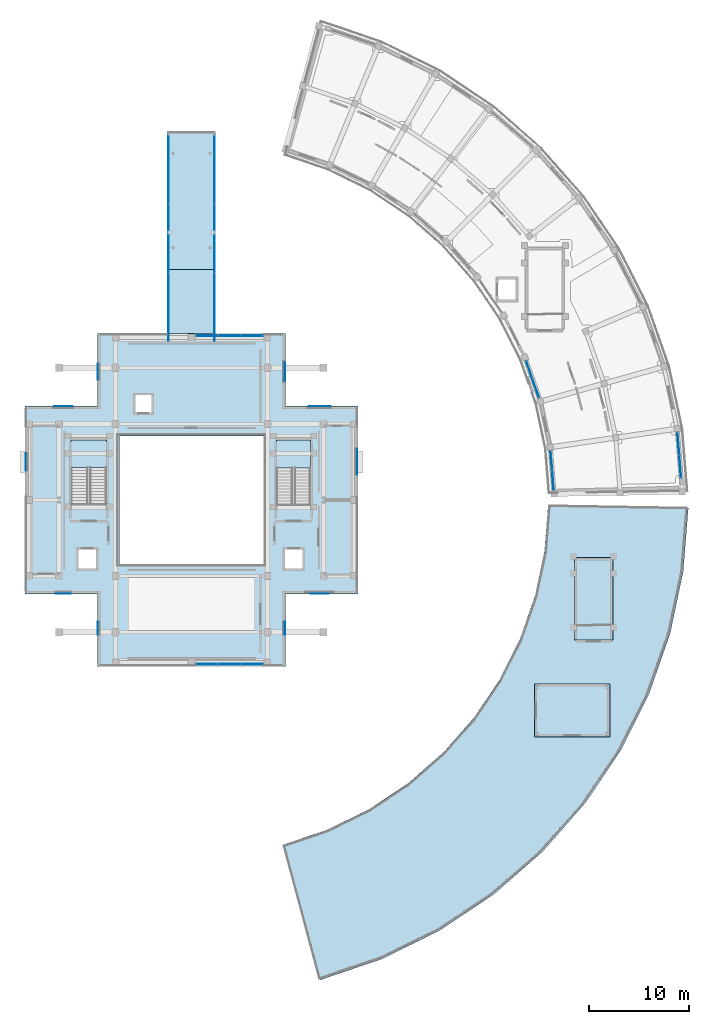
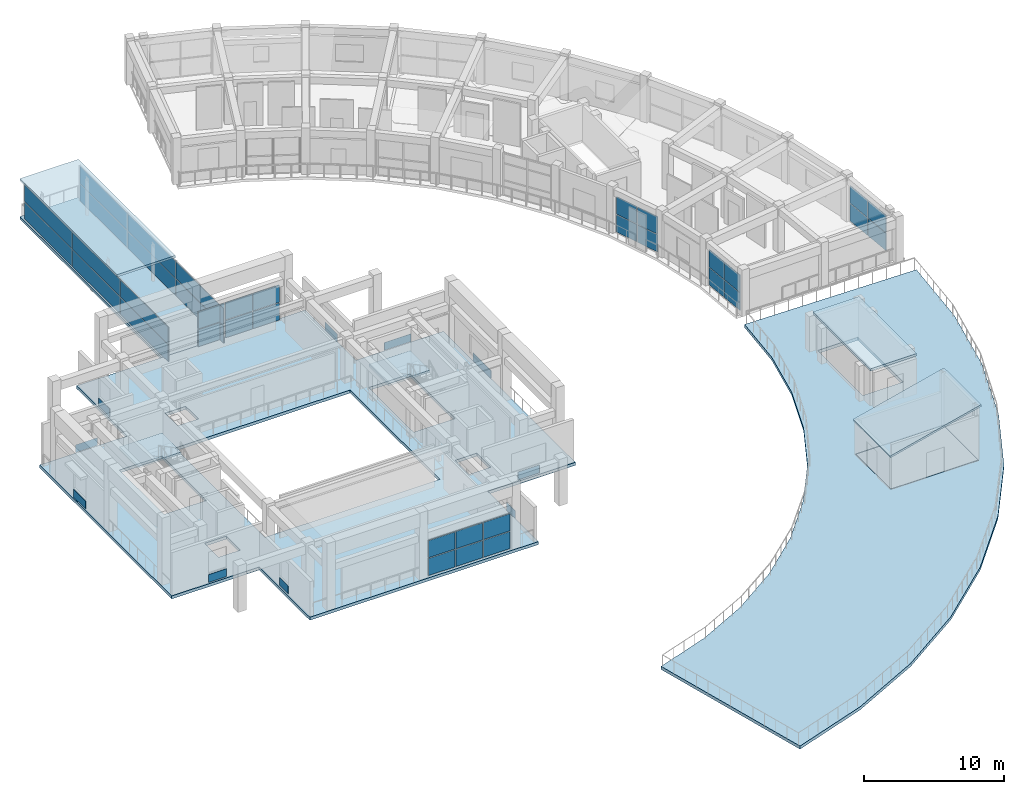
# One storey, part 16 of 29: 46 plates, 9 slabs, 9 elements without a shape of their own.
"""IFC4 building model written with IfcOpenShell, lengths in metres."""

from ifc_helpers import new_model, si_unit, direction, frame, origin, origin_2d, place, context, subcontext, project, spatial, polyline, rectangle, outline, extrude, material, layer, layer_set, type_object, element, aggregate, save


model = new_model("IFC4")

# Units and contexts
model_context = context("Model", 3, precision=1e-05, world=origin(), true_north=direction((0.0, 1.0)))
body_context = subcontext(model_context, "Body", "Model", "MODEL_VIEW")
ifc_project = project(units=[si_unit("LENGTHUNIT", "METRE"), si_unit("AREAUNIT", "SQUARE_METRE"), si_unit("VOLUMEUNIT", "CUBIC_METRE"), si_unit("PLANEANGLEUNIT", "RADIAN"), si_unit("MASSUNIT", "GRAM", prefix="KILO")], contexts=[model_context])

# Site, building, storey
site_placement = place(None, origin())
site = spatial("IfcSite", under=ifc_project, at=site_placement, CompositionType="ELEMENT")
building_placement = place(site_placement, origin())
building = spatial("IfcBuilding", under=site, at=building_placement, Name="Saryqyr Civic Hall", CompositionType="ELEMENT")
storey_placement = place(building_placement, frame((0.0, 0.0, 25.35009765625)))
storey = spatial("IfcBuildingStorey", under=building, at=storey_placement, Name="L06", CompositionType="ELEMENT", Elevation=25.35009765625)

# Curtain wall, plates
ifc_material_1 = material(Name="Anodised aluminium and triple low-E glass", Category="aluminium")
curtain_wall_type_1 = type_object("IfcCurtainWallType", Name="ENV-CW-STD-30", PredefinedType="NOTDEFINED", material=ifc_material_1)
curtain_wall_1_placement = place(storey_placement, origin())
curtain_wall_1 = element("IfcCurtainWall", 1, at=curtain_wall_1_placement, inside=storey, type_object=curtain_wall_type_1, Name="Curtain wall V6-CWO-L06-00", PredefinedType="NOTDEFINED")
ifc_material_2 = material(Name="Triple low-E insulated glazing", Category="glass")
ifc_layer_1 = layer(ifc_material_2, 0.053955078125, Name="Triple low-E insulated glazing")
ifc_layer_set_1 = layer_set([ifc_layer_1], Name="Triple low-E insulated glazing")
plate_type_1 = type_object("IfcPlateType", Name="ENV-CW-PNL-38", PredefinedType="CURTAIN_PANEL", material=ifc_layer_set_1)
plate_1_placement = place(storey_placement, frame((105.6025390625, 89.61474609375, 0.06005859375), z_axis=(0.0, 0.0, 1.0), x_axis=(0.081093274213, -0.996706516923, 0.0)))
plate_1 = element("IfcPlate", 2, at=plate_1_placement, type_object=plate_type_1, Name="CW-30 panel 1.1", PredefinedType="CURTAIN_PANEL", context=body_context, shape_type="SweptSolid", body=[
    extrude(rectangle(XDim=2.218505859375, YDim=0.053955078125, at=origin_2d()), origin(), (0.0, 0.0, 1.0), 1.5029296875),
])
plate_2_placement = place(storey_placement, frame((105.6025390625, 89.61474609375, 1.623046875), z_axis=(0.0, 0.0, 1.0), x_axis=(0.081093274213, -0.996706516923, 0.0)))
plate_2 = element("IfcPlate", 3, at=plate_2_placement, type_object=plate_type_1, Name="CW-30 panel 1.2", PredefinedType="CURTAIN_PANEL", context=body_context, shape_type="SweptSolid", body=[
    extrude(rectangle(XDim=2.218505859375, YDim=0.053955078125, at=origin_2d()), origin(), (0.0, 0.0, 1.0), 1.501953125),
])
plate_3_placement = place(storey_placement, frame((105.787353515625, 87.34375, 0.06005859375), z_axis=(0.0, 0.0, 1.0), x_axis=(0.081093274213, -0.996706516923, 0.0)))
plate_3 = element("IfcPlate", 4, at=plate_3_placement, type_object=plate_type_1, Name="CW-30 panel 2.1", PredefinedType="CURTAIN_PANEL", context=body_context, shape_type="SweptSolid", body=[
    extrude(rectangle(XDim=2.218505859375, YDim=0.053955078125, at=origin_2d()), origin(), (0.0, 0.0, 1.0), 1.5029296875),
])
plate_4_placement = place(storey_placement, frame((105.787353515625, 87.34375, 1.623046875), z_axis=(0.0, 0.0, 1.0), x_axis=(0.081093274213, -0.996706516923, 0.0)))
plate_4 = element("IfcPlate", 5, at=plate_4_placement, type_object=plate_type_1, Name="CW-30 panel 2.2", PredefinedType="CURTAIN_PANEL", context=body_context, shape_type="SweptSolid", body=[
    extrude(rectangle(XDim=2.218505859375, YDim=0.053955078125, at=origin_2d()), origin(), (0.0, 0.0, 1.0), 1.501953125),
])
aggregate(curtain_wall_1, [plate_1, plate_2, plate_3, plate_4])

curtain_wall_type_2 = type_object("IfcCurtainWallType", Name="ENV-CW-STD-21", PredefinedType="NOTDEFINED", material=ifc_material_1)
curtain_wall_2_placement = place(storey_placement, origin())
curtain_wall_2 = element("IfcCurtainWall", 6, at=curtain_wall_2_placement, inside=storey, type_object=curtain_wall_type_2, Name="Curtain wall V6-CWI-L06-00", PredefinedType="NOTDEFINED")
plate_5_placement = place(storey_placement, frame((93.085205078125, 85.9501953125, 0.06005859375), z_axis=(0.0, 0.0, 1.0), x_axis=(-0.081090889978, 0.996706710905, 0.0)))
plate_5 = element("IfcPlate", 7, at=plate_5_placement, type_object=plate_type_1, Name="CW-21 panel 1.1", PredefinedType="CURTAIN_PANEL", context=body_context, shape_type="SweptSolid", body=[
    extrude(rectangle(XDim=1.906494140625, YDim=0.053955078125, at=origin_2d()), origin(), (0.0, 0.0, 1.0), 1.5029296875),
])
plate_6_placement = place(storey_placement, frame((93.085205078125, 85.9501953125, 1.623046875), z_axis=(0.0, 0.0, 1.0), x_axis=(-0.081090889978, 0.996706710905, 0.0)))
plate_6 = element("IfcPlate", 8, at=plate_6_placement, type_object=plate_type_1, Name="CW-21 panel 1.2", PredefinedType="CURTAIN_PANEL", context=body_context, shape_type="SweptSolid", body=[
    extrude(rectangle(XDim=1.906494140625, YDim=0.053955078125, at=origin_2d()), origin(), (0.0, 0.0, 1.0), 1.501953125),
])
plate_7_placement = place(storey_placement, frame((92.92578125, 87.91015625, 0.06005859375), z_axis=(0.0, 0.0, 1.0), x_axis=(-0.081090889978, 0.996706710905, 0.0)))
plate_7 = element("IfcPlate", 9, at=plate_7_placement, type_object=plate_type_1, Name="CW-21 panel 2.1", PredefinedType="CURTAIN_PANEL", context=body_context, shape_type="SweptSolid", body=[
    extrude(rectangle(XDim=1.906494140625, YDim=0.053955078125, at=origin_2d()), origin(), (0.0, 0.0, 1.0), 1.5029296875),
])
plate_8_placement = place(storey_placement, frame((92.92578125, 87.91015625, 1.623046875), z_axis=(0.0, 0.0, 1.0), x_axis=(-0.081090889978, 0.996706710905, 0.0)))
plate_8 = element("IfcPlate", 10, at=plate_8_placement, type_object=plate_type_1, Name="CW-21 panel 2.2", PredefinedType="CURTAIN_PANEL", context=body_context, shape_type="SweptSolid", body=[
    extrude(rectangle(XDim=1.906494140625, YDim=0.053955078125, at=origin_2d()), origin(), (0.0, 0.0, 1.0), 1.501953125),
])
aggregate(curtain_wall_2, [plate_5, plate_6, plate_7, plate_8])

curtain_wall_3_placement = place(storey_placement, origin())
curtain_wall_3 = element("IfcCurtainWall", 11, at=curtain_wall_3_placement, inside=storey, type_object=curtain_wall_type_2, Name="Curtain wall V6-CWI-L06-02", PredefinedType="NOTDEFINED")
plate_9_placement = place(storey_placement, frame((91.384765625, 95.118408203125, 0.06005859375), z_axis=(0.0, 0.0, 1.0), x_axis=(-0.333171977335, 0.94286607401, 0.0)))
plate_9 = element("IfcPlate", 12, at=plate_9_placement, type_object=plate_type_1, Name="CW-21 panel 1.1", PredefinedType="CURTAIN_PANEL", context=body_context, shape_type="SweptSolid", body=[
    extrude(rectangle(XDim=1.886962890625, YDim=0.053955078125, at=origin_2d()), origin(), (0.0, 0.0, 1.0), 1.5029296875),
])
plate_10_placement = place(storey_placement, frame((91.384765625, 95.118408203125, 1.623046875), z_axis=(0.0, 0.0, 1.0), x_axis=(-0.333171977335, 0.94286607401, 0.0)))
plate_10 = element("IfcPlate", 13, at=plate_10_placement, type_object=plate_type_1, Name="CW-21 panel 1.2", PredefinedType="CURTAIN_PANEL", context=body_context, shape_type="SweptSolid", body=[
    extrude(rectangle(XDim=1.886962890625, YDim=0.053955078125, at=origin_2d()), origin(), (0.0, 0.0, 1.0), 1.501953125),
])
plate_11_placement = place(storey_placement, frame((90.73583984375, 96.9541015625, 0.06005859375), z_axis=(0.0, 0.0, 1.0), x_axis=(-0.333171977335, 0.94286607401, 0.0)))
plate_11 = element("IfcPlate", 14, at=plate_11_placement, type_object=plate_type_1, Name="CW-21 panel 2.1", PredefinedType="CURTAIN_PANEL", context=body_context, shape_type="SweptSolid", body=[
    extrude(rectangle(XDim=1.886962890625, YDim=0.053955078125, at=origin_2d()), origin(), (0.0, 0.0, 1.0), 1.5029296875),
])
plate_12_placement = place(storey_placement, frame((90.73583984375, 96.9541015625, 1.623046875), z_axis=(0.0, 0.0, 1.0), x_axis=(-0.333171977335, 0.94286607401, 0.0)))
plate_12 = element("IfcPlate", 15, at=plate_12_placement, type_object=plate_type_1, Name="CW-21 panel 2.2", PredefinedType="CURTAIN_PANEL", context=body_context, shape_type="SweptSolid", body=[
    extrude(rectangle(XDim=1.886962890625, YDim=0.053955078125, at=origin_2d()), origin(), (0.0, 0.0, 1.0), 1.501953125),
])
aggregate(curtain_wall_3, [plate_9, plate_10, plate_11, plate_12])

curtain_wall_type_3 = type_object("IfcCurtainWallType", Name="ENV-CW-STD-88", PredefinedType="NOTDEFINED", material=ifc_material_1)
curtain_wall_4_placement = place(storey_placement, origin())
curtain_wall_4 = element("IfcCurtainWall", 16, at=curtain_wall_4_placement, inside=storey, type_object=curtain_wall_type_3, Name="Curtain wall BR-CN-CW1-L06", PredefinedType="NOTDEFINED")
plate_13_placement = place(storey_placement, frame((54.719970703125, 103.248291015625, 0.059814453125), z_axis=(0.0, 0.0, 1.0), x_axis=(0.0, 1.0, 0.0)))
plate_13 = element("IfcPlate", 17, at=plate_13_placement, type_object=plate_type_1, Name="CW-88 panel 1.1", PredefinedType="CURTAIN_PANEL", context=body_context, shape_type="SweptSolid", body=[
    extrude(rectangle(XDim=6.776611328125, YDim=0.053955078125, at=origin_2d()), origin(), (0.0, 0.0, 1.0), 1.4599609375),
])
plate_14_placement = place(storey_placement, frame((54.719970703125, 103.248291015625, 1.579833984375), z_axis=(0.0, 0.0, 1.0), x_axis=(0.0, 1.0, 0.0)))
plate_14 = element("IfcPlate", 18, at=plate_14_placement, type_object=plate_type_1, Name="CW-88 panel 1.2", PredefinedType="CURTAIN_PANEL", context=body_context, shape_type="SweptSolid", body=[
    extrude(rectangle(XDim=6.776611328125, YDim=0.053955078125, at=origin_2d()), origin(), (0.0, 0.0, 1.0), 1.4599609375),
])
plate_15_placement = place(storey_placement, frame((54.719970703125, 110.10009765625, 0.059814453125), z_axis=(0.0, 0.0, 1.0), x_axis=(0.0, 1.0, 0.0)))
plate_15 = element("IfcPlate", 19, at=plate_15_placement, type_object=plate_type_1, Name="CW-88 panel 2.1", PredefinedType="CURTAIN_PANEL", context=body_context, shape_type="SweptSolid", body=[
    extrude(rectangle(XDim=6.806640625, YDim=0.053955078125, at=origin_2d()), origin(), (0.0, 0.0, 1.0), 1.4599609375),
])
plate_16_placement = place(storey_placement, frame((54.719970703125, 110.10009765625, 1.579833984375), z_axis=(0.0, 0.0, 1.0), x_axis=(0.0, 1.0, 0.0)))
plate_16 = element("IfcPlate", 20, at=plate_16_placement, type_object=plate_type_1, Name="CW-88 panel 2.2", PredefinedType="CURTAIN_PANEL", context=body_context, shape_type="SweptSolid", body=[
    extrude(rectangle(XDim=6.806640625, YDim=0.053955078125, at=origin_2d()), origin(), (0.0, 0.0, 1.0), 1.4599609375),
])
plate_17_placement = place(storey_placement, frame((54.719970703125, 116.95166015625, 0.059814453125), z_axis=(0.0, 0.0, 1.0), x_axis=(0.0, 1.0, 0.0)))
plate_17 = element("IfcPlate", 21, at=plate_17_placement, type_object=plate_type_1, Name="CW-88 panel 3.1", PredefinedType="CURTAIN_PANEL", context=body_context, shape_type="SweptSolid", body=[
    extrude(rectangle(XDim=6.776611328125, YDim=0.053955078125, at=origin_2d()), origin(), (0.0, 0.0, 1.0), 1.4599609375),
])
plate_18_placement = place(storey_placement, frame((54.719970703125, 116.95166015625, 1.579833984375), z_axis=(0.0, 0.0, 1.0), x_axis=(0.0, 1.0, 0.0)))
plate_18 = element("IfcPlate", 22, at=plate_18_placement, type_object=plate_type_1, Name="CW-88 panel 3.2", PredefinedType="CURTAIN_PANEL", context=body_context, shape_type="SweptSolid", body=[
    extrude(rectangle(XDim=6.776611328125, YDim=0.053955078125, at=origin_2d()), origin(), (0.0, 0.0, 1.0), 1.4599609375),
])
aggregate(curtain_wall_4, [plate_13, plate_14, plate_15, plate_16, plate_17, plate_18])

curtain_wall_5_placement = place(storey_placement, origin())
curtain_wall_5 = element("IfcCurtainWall", 23, at=curtain_wall_5_placement, inside=storey, type_object=curtain_wall_type_3, Name="Curtain wall BR-CN-CW2-L06", PredefinedType="NOTDEFINED")
plate_19_placement = place(storey_placement, frame((59.280029296875, 116.95166015625, 0.059814453125), z_axis=(0.0, 0.0, 1.0), x_axis=(0.0, -1.0, 0.0)))
plate_19 = element("IfcPlate", 24, at=plate_19_placement, type_object=plate_type_1, Name="CW-88 panel 1.1", PredefinedType="CURTAIN_PANEL", context=body_context, shape_type="SweptSolid", body=[
    extrude(rectangle(XDim=6.776611328125, YDim=0.053955078125, at=origin_2d()), origin(), (0.0, 0.0, 1.0), 1.4599609375),
])
plate_20_placement = place(storey_placement, frame((59.280029296875, 116.95166015625, 1.579833984375), z_axis=(0.0, 0.0, 1.0), x_axis=(0.0, -1.0, 0.0)))
plate_20 = element("IfcPlate", 25, at=plate_20_placement, type_object=plate_type_1, Name="CW-88 panel 1.2", PredefinedType="CURTAIN_PANEL", context=body_context, shape_type="SweptSolid", body=[
    extrude(rectangle(XDim=6.776611328125, YDim=0.053955078125, at=origin_2d()), origin(), (0.0, 0.0, 1.0), 1.4599609375),
])
plate_21_placement = place(storey_placement, frame((59.280029296875, 110.10009765625, 0.059814453125), z_axis=(0.0, 0.0, 1.0), x_axis=(0.0, -1.0, 0.0)))
plate_21 = element("IfcPlate", 26, at=plate_21_placement, type_object=plate_type_1, Name="CW-88 panel 2.1", PredefinedType="CURTAIN_PANEL", context=body_context, shape_type="SweptSolid", body=[
    extrude(rectangle(XDim=6.806640625, YDim=0.053955078125, at=origin_2d()), origin(), (0.0, 0.0, 1.0), 1.4599609375),
])
plate_22_placement = place(storey_placement, frame((59.280029296875, 110.10009765625, 1.579833984375), z_axis=(0.0, 0.0, 1.0), x_axis=(0.0, -1.0, 0.0)))
plate_22 = element("IfcPlate", 27, at=plate_22_placement, type_object=plate_type_1, Name="CW-88 panel 2.2", PredefinedType="CURTAIN_PANEL", context=body_context, shape_type="SweptSolid", body=[
    extrude(rectangle(XDim=6.806640625, YDim=0.053955078125, at=origin_2d()), origin(), (0.0, 0.0, 1.0), 1.4599609375),
])
plate_23_placement = place(storey_placement, frame((59.280029296875, 103.248291015625, 0.059814453125), z_axis=(0.0, 0.0, 1.0), x_axis=(0.0, -1.0, 0.0)))
plate_23 = element("IfcPlate", 28, at=plate_23_placement, type_object=plate_type_1, Name="CW-88 panel 3.1", PredefinedType="CURTAIN_PANEL", context=body_context, shape_type="SweptSolid", body=[
    extrude(rectangle(XDim=6.776611328125, YDim=0.053955078125, at=origin_2d()), origin(), (0.0, 0.0, 1.0), 1.4599609375),
])
plate_24_placement = place(storey_placement, frame((59.280029296875, 103.248291015625, 1.579833984375), z_axis=(0.0, 0.0, 1.0), x_axis=(0.0, -1.0, 0.0)))
plate_24 = element("IfcPlate", 29, at=plate_24_placement, type_object=plate_type_1, Name="CW-88 panel 3.2", PredefinedType="CURTAIN_PANEL", context=body_context, shape_type="SweptSolid", body=[
    extrude(rectangle(XDim=6.776611328125, YDim=0.053955078125, at=origin_2d()), origin(), (0.0, 0.0, 1.0), 1.4599609375),
])
aggregate(curtain_wall_5, [plate_19, plate_20, plate_21, plate_22, plate_23, plate_24])

curtain_wall_type_4 = type_object("IfcCurtainWallType", Name="ENV-CW-HVY-49", PredefinedType="NOTDEFINED", material=ifc_material_1)
curtain_wall_6_placement = place(storey_placement, origin())
curtain_wall_6 = element("IfcCurtainWall", 30, at=curtain_wall_6_placement, inside=storey, type_object=curtain_wall_type_4, Name="Curtain wall V1-CW-L06-05", PredefinedType="NOTDEFINED")
ifc_material_3 = material(Name="Acoustic laminated low-E glazing", Category="glass")
ifc_layer_2 = layer(ifc_material_3, 0.072021484375, Name="Acoustic laminated low-E glazing")
ifc_layer_set_2 = layer_set([ifc_layer_2], Name="Acoustic laminated low-E glazing")
plate_type_2 = type_object("IfcPlateType", Name="ENV-CW-PNL-52", PredefinedType="CURTAIN_PANEL", material=ifc_layer_set_2)
plate_25_placement = place(storey_placement, frame((58.544189453125, 100.39990234375, 0.070068359375), z_axis=(0.0, 0.0, 1.0), x_axis=(1.0, 0.0, 0.0)))
plate_25 = element("IfcPlate", 31, at=plate_25_placement, type_object=plate_type_2, Name="CW-49 panel 1.1", PredefinedType="CURTAIN_PANEL", context=body_context, shape_type="SweptSolid", body=[
    extrude(rectangle(XDim=2.168212890625, YDim=0.072021484375, at=origin_2d()), origin(), (0.0, 0.0, 1.0), 1.48291015625),
])
plate_26_placement = place(storey_placement, frame((58.544189453125, 100.39990234375, 1.623046875), z_axis=(0.0, 0.0, 1.0), x_axis=(1.0, 0.0, 0.0)))
plate_26 = element("IfcPlate", 32, at=plate_26_placement, type_object=plate_type_2, Name="CW-49 panel 1.2", PredefinedType="CURTAIN_PANEL", context=body_context, shape_type="SweptSolid", body=[
    extrude(rectangle(XDim=2.168212890625, YDim=0.072021484375, at=origin_2d()), origin(), (0.0, 0.0, 1.0), 1.48193359375),
])
plate_27_placement = place(storey_placement, frame((60.800048828125, 100.39990234375, 0.070068359375), z_axis=(0.0, 0.0, 1.0), x_axis=(1.0, 0.0, 0.0)))
plate_27 = element("IfcPlate", 33, at=plate_27_placement, type_object=plate_type_2, Name="CW-49 panel 2.1", PredefinedType="CURTAIN_PANEL", context=body_context, shape_type="SweptSolid", body=[
    extrude(rectangle(XDim=2.203369140625, YDim=0.072021484375, at=origin_2d()), origin(), (0.0, 0.0, 1.0), 1.48291015625),
])
plate_28_placement = place(storey_placement, frame((60.800048828125, 100.39990234375, 1.623046875), z_axis=(0.0, 0.0, 1.0), x_axis=(1.0, 0.0, 0.0)))
plate_28 = element("IfcPlate", 34, at=plate_28_placement, type_object=plate_type_2, Name="CW-49 panel 2.2", PredefinedType="CURTAIN_PANEL", context=body_context, shape_type="SweptSolid", body=[
    extrude(rectangle(XDim=2.203369140625, YDim=0.072021484375, at=origin_2d()), origin(), (0.0, 0.0, 1.0), 1.48193359375),
])
plate_29_placement = place(storey_placement, frame((63.055908203125, 100.39990234375, 0.070068359375), z_axis=(0.0, 0.0, 1.0), x_axis=(1.0, 0.0, 0.0)))
plate_29 = element("IfcPlate", 35, at=plate_29_placement, type_object=plate_type_2, Name="CW-49 panel 3.1", PredefinedType="CURTAIN_PANEL", context=body_context, shape_type="SweptSolid", body=[
    extrude(rectangle(XDim=2.168212890625, YDim=0.072021484375, at=origin_2d()), origin(), (0.0, 0.0, 1.0), 1.48291015625),
])
plate_30_placement = place(storey_placement, frame((63.055908203125, 100.39990234375, 1.623046875), z_axis=(0.0, 0.0, 1.0), x_axis=(1.0, 0.0, 0.0)))
plate_30 = element("IfcPlate", 36, at=plate_30_placement, type_object=plate_type_2, Name="CW-49 panel 3.2", PredefinedType="CURTAIN_PANEL", context=body_context, shape_type="SweptSolid", body=[
    extrude(rectangle(XDim=2.168212890625, YDim=0.072021484375, at=origin_2d()), origin(), (0.0, 0.0, 1.0), 1.48193359375),
])
aggregate(curtain_wall_6, [plate_25, plate_26, plate_27, plate_28, plate_29, plate_30])

curtain_wall_7_placement = place(storey_placement, origin())
curtain_wall_7 = element("IfcCurtainWall", 37, at=curtain_wall_7_placement, inside=storey, type_object=curtain_wall_type_4, Name="Curtain wall V1-CW-L06-11", PredefinedType="NOTDEFINED")
plate_31_placement = place(storey_placement, frame((63.055908203125, 67.60009765625, 0.070068359375), z_axis=(0.0, 0.0, 1.0), x_axis=(-1.0, 0.0, 0.0)))
plate_31 = element("IfcPlate", 38, at=plate_31_placement, type_object=plate_type_2, Name="CW-49 panel 1.1", PredefinedType="CURTAIN_PANEL", context=body_context, shape_type="SweptSolid", body=[
    extrude(rectangle(XDim=2.168212890625, YDim=0.072021484375, at=origin_2d()), origin(), (0.0, 0.0, 1.0), 1.48291015625),
])
plate_32_placement = place(storey_placement, frame((63.055908203125, 67.60009765625, 1.623046875), z_axis=(0.0, 0.0, 1.0), x_axis=(-1.0, 0.0, 0.0)))
plate_32 = element("IfcPlate", 39, at=plate_32_placement, type_object=plate_type_2, Name="CW-49 panel 1.2", PredefinedType="CURTAIN_PANEL", context=body_context, shape_type="SweptSolid", body=[
    extrude(rectangle(XDim=2.168212890625, YDim=0.072021484375, at=origin_2d()), origin(), (0.0, 0.0, 1.0), 1.48193359375),
])
plate_33_placement = place(storey_placement, frame((60.800048828125, 67.60009765625, 0.070068359375), z_axis=(0.0, 0.0, 1.0), x_axis=(-1.0, 0.0, 0.0)))
plate_33 = element("IfcPlate", 40, at=plate_33_placement, type_object=plate_type_2, Name="CW-49 panel 2.1", PredefinedType="CURTAIN_PANEL", context=body_context, shape_type="SweptSolid", body=[
    extrude(rectangle(XDim=2.203369140625, YDim=0.072021484375, at=origin_2d()), origin(), (0.0, 0.0, 1.0), 1.48291015625),
])
plate_34_placement = place(storey_placement, frame((60.800048828125, 67.60009765625, 1.623046875), z_axis=(0.0, 0.0, 1.0), x_axis=(-1.0, 0.0, 0.0)))
plate_34 = element("IfcPlate", 41, at=plate_34_placement, type_object=plate_type_2, Name="CW-49 panel 2.2", PredefinedType="CURTAIN_PANEL", context=body_context, shape_type="SweptSolid", body=[
    extrude(rectangle(XDim=2.203369140625, YDim=0.072021484375, at=origin_2d()), origin(), (0.0, 0.0, 1.0), 1.48193359375),
])
plate_35_placement = place(storey_placement, frame((58.544189453125, 67.60009765625, 0.070068359375), z_axis=(0.0, 0.0, 1.0), x_axis=(-1.0, 0.0, 0.0)))
plate_35 = element("IfcPlate", 42, at=plate_35_placement, type_object=plate_type_2, Name="CW-49 panel 3.1", PredefinedType="CURTAIN_PANEL", context=body_context, shape_type="SweptSolid", body=[
    extrude(rectangle(XDim=2.168212890625, YDim=0.072021484375, at=origin_2d()), origin(), (0.0, 0.0, 1.0), 1.48291015625),
])
plate_36_placement = place(storey_placement, frame((58.544189453125, 67.60009765625, 1.623046875), z_axis=(0.0, 0.0, 1.0), x_axis=(-1.0, 0.0, 0.0)))
plate_36 = element("IfcPlate", 43, at=plate_36_placement, type_object=plate_type_2, Name="CW-49 panel 3.2", PredefinedType="CURTAIN_PANEL", context=body_context, shape_type="SweptSolid", body=[
    extrude(rectangle(XDim=2.168212890625, YDim=0.072021484375, at=origin_2d()), origin(), (0.0, 0.0, 1.0), 1.48193359375),
])
aggregate(curtain_wall_7, [plate_31, plate_32, plate_33, plate_34, plate_35, plate_36])

# Plates
ifc_material_4 = material(Name="Warm brushed brass-anodised aluminium", Category="aluminium")
ifc_layer_3 = layer(ifc_material_4, 0.008056640625, Name="Warm brushed brass-anodised aluminium")
ifc_layer_set_3 = layer_set([ifc_layer_3], Name="Warm brushed brass-anodised aluminium")
plate_type_3 = type_object("IfcPlateType", Name="ENV-PLT-BRASS-1", PredefinedType="SHEET", material=ifc_layer_set_3)
plate_37_placement = place(storey_placement, frame((47.6630859375, 71.199951171875, 0.080078125), z_axis=(0.0, 0.0, 1.0), x_axis=(0.0, 1.0, 0.0)))
element("IfcPlate", 44, at=plate_37_placement, inside=storey, type_object=plate_type_3, Name="Warm brass spandrel cladding sheet L06-00", PredefinedType="SHEET", context=body_context, shape_type="SweptSolid", body=[
    extrude(rectangle(XDim=1.25, YDim=0.008056640625, at=origin_2d()), origin(), (0.0, 0.0, 1.0), 0.679931640625),
])
for number, where, z_axis, x_axis, name in (
    (45, (44.199951171875, 93.3369140625, 0.080078125), (0.0, 0.0, 1.0), (1.0, 0.0, 0.0), "Warm brass spandrel cladding sheet L06-03"),
    (46, (66.3369140625, 96.800048828125, 0.080078125), (0.0, 0.0, 1.0), (0.0, -1.0, 0.0), "Warm brass spandrel cladding sheet L06-06"),
    (47, (69.800048828125, 74.6630859375, 0.080078125), (0.0, 0.0, 1.0), (-1.0, 0.0, 0.0), "Warm brass spandrel cladding sheet L06-09"),
):
    element("IfcPlate", number, at=place(storey_placement, frame(where, z_axis=z_axis, x_axis=x_axis)), inside=storey, type_object=plate_type_3, Name=name, PredefinedType="SHEET", context=body_context, shape_type="SweptSolid", body=[
        extrude(rectangle(XDim=1.800048828125, YDim=0.008056640625, at=origin_2d()), origin(), (0.0, 0.0, 1.0), 0.679931640625),
    ])
ifc_layer_4 = layer(ifc_material_4, 0.02001953125, Name="Warm brushed brass-anodised aluminium")
ifc_layer_set_4 = layer_set([ifc_layer_4], Name="Warm brushed brass-anodised aluminium")
plate_type_4 = type_object("IfcPlateType", Name="ENV-PLT-BRASS-2", PredefinedType="SHEET", material=ifc_layer_set_4)
plate_38_placement = place(storey_placement, frame((44.199951171875, 74.656982421875, 0.080078125), z_axis=(0.0, 0.0, 1.0), x_axis=(-1.0, 0.0, 0.0)))
element("IfcPlate", 48, at=plate_38_placement, inside=storey, type_object=plate_type_4, Name="Warm brass spandrel cladding sheet L06-01", PredefinedType="SHEET", context=body_context, shape_type="SweptSolid", body=[
    extrude(rectangle(XDim=1.5, YDim=0.02001953125, at=origin_2d()), origin(), (0.0, 0.0, 1.0), 0.679931640625),
])
plate_39_placement = place(storey_placement, frame((47.656982421875, 96.800048828125, 0.080078125), z_axis=(0.0, 0.0, 1.0), x_axis=(0.0, 1.0, 0.0)))
element("IfcPlate", 49, at=plate_39_placement, inside=storey, type_object=plate_type_4, Name="Warm brass spandrel cladding sheet L06-04", PredefinedType="SHEET", context=body_context, shape_type="SweptSolid", body=[
    extrude(rectangle(XDim=1.60009765625, YDim=0.02001953125, at=origin_2d()), origin(), (0.0, 0.0, 1.0), 0.679931640625),
])
plate_40_placement = place(storey_placement, frame((69.800048828125, 93.343017578125, 0.080078125), z_axis=(0.0, 0.0, 1.0), x_axis=(1.0, 0.0, 0.0)))
element("IfcPlate", 50, at=plate_40_placement, inside=storey, type_object=plate_type_4, Name="Warm brass spandrel cladding sheet L06-07", PredefinedType="SHEET", context=body_context, shape_type="SweptSolid", body=[
    extrude(rectangle(XDim=2.199951171875, YDim=0.02001953125, at=origin_2d()), origin(), (0.0, 0.0, 1.0), 0.679931640625),
])
plate_41_placement = place(storey_placement, frame((66.343017578125, 71.199951171875, 0.080078125), z_axis=(0.0, 0.0, 1.0), x_axis=(0.0, -1.0, 0.0)))
element("IfcPlate", 51, at=plate_41_placement, inside=storey, type_object=plate_type_4, Name="Warm brass spandrel cladding sheet L06-10", PredefinedType="SHEET", context=body_context, shape_type="SweptSolid", body=[
    extrude(rectangle(XDim=1.25, YDim=0.02001953125, at=origin_2d()), origin(), (0.0, 0.0, 1.0), 0.679931640625),
])
ifc_layer_5 = layer(ifc_material_4, 0.031982421875, Name="Warm brushed brass-anodised aluminium")
ifc_layer_set_5 = layer_set([ifc_layer_5], Name="Warm brushed brass-anodised aluminium")
plate_type_5 = type_object("IfcPlateType", Name="ENV-PLT-BRASS-3", PredefinedType="SHEET", material=ifc_layer_set_5)
plate_42_placement = place(storey_placement, frame((40.450927734375, 87.800048828125, 0.080078125), z_axis=(0.0, 0.0, 1.0), x_axis=(0.0, 1.0, 0.0)))
element("IfcPlate", 52, at=plate_42_placement, inside=storey, type_object=plate_type_5, Name="Warm brass spandrel cladding sheet L06-02", PredefinedType="SHEET", context=body_context, shape_type="SweptSolid", body=[
    extrude(rectangle(XDim=1.75, YDim=0.031982421875, at=origin_2d()), origin(), (0.0, 0.0, 1.0), 0.679931640625),
])
plate_43_placement = place(storey_placement, frame((73.549072265625, 87.800048828125, 0.080078125), z_axis=(0.0, 0.0, 1.0), x_axis=(0.0, -1.0, 0.0)))
element("IfcPlate", 53, at=plate_43_placement, inside=storey, type_object=plate_type_5, Name="Warm brass spandrel cladding sheet L06-08", PredefinedType="SHEET", context=body_context, shape_type="SweptSolid", body=[
    extrude(rectangle(XDim=2.60009765625, YDim=0.031982421875, at=origin_2d()), origin(), (0.0, 0.0, 1.0), 0.679931640625),
])

# Slabs
ifc_material_5 = material(Name="Concrete C35/45", Category="concrete")
ifc_layer_6 = layer(ifc_material_5, 0.22998046875, Name="Concrete C35/45")
ifc_layer_set_6 = layer_set([ifc_layer_6], Name="Concrete C35/45")
slab_type_1 = type_object("IfcSlabType", Name="STR-SLB-FLR-230", PredefinedType="FLOOR", material=ifc_layer_set_6)
slab_1_placement = place(storey_placement, frame((0.0, 0.0, -0.22998046875)))
element("IfcSlab", 54, at=slab_1_placement, inside=storey, type_object=slab_type_1, Name="Slab SLB-BR-CN-L06", PredefinedType="FLOOR", context=body_context, shape_type="SweptSolid", body=[
    extrude(outline(polyline([(54.60009765625, 120.800048828125), (59.39990234375, 120.800048828125), (59.39990234375, 100.60009765625), (54.60009765625, 100.60009765625), (54.60009765625, 120.800048828125)])), origin(), (0.0, 0.0, 1.0), 0.22998046875),
])
ifc_layer_7 = layer(ifc_material_5, 0.260009765625, Name="Concrete C35/45")
ifc_layer_set_7 = layer_set([ifc_layer_7], Name="Concrete C35/45")
slab_type_2 = type_object("IfcSlabType", Name="STR-SLB-FLR-260", PredefinedType="FLOOR", material=ifc_layer_set_7)
slab_2_placement = place(storey_placement, frame((0.0, 0.0, -0.260009765625)))
element("IfcSlab", 55, at=slab_2_placement, inside=storey, type_object=slab_type_2, Name="Slab SLB-V1-L06", PredefinedType="FLOOR", context=body_context, shape_type="SweptSolid", body=[
    extrude(outline(polyline([(40.39990234375, 74.60009765625), (40.39990234375, 93.39990234375), (47.60009765625, 93.39990234375), (47.60009765625, 100.60009765625), (66.39990234375, 100.60009765625), (66.39990234375, 93.39990234375), (73.60009765625, 93.39990234375), (73.60009765625, 74.60009765625), (66.39990234375, 74.60009765625), (66.39990234375, 67.39990234375), (47.60009765625, 67.39990234375), (47.60009765625, 74.60009765625), (40.39990234375, 74.60009765625)]), holes=[polyline([(64.199951171875, 90.39990234375), (49.800048828125, 90.39990234375), (49.800048828125, 77.60009765625), (64.199951171875, 77.60009765625), (64.199951171875, 90.39990234375)]), polyline([(47.5, 79.10009765625), (45.699951171875, 79.10009765625), (45.699951171875, 77.10009765625), (47.5, 77.10009765625), (47.5, 79.10009765625)]), polyline([(68.10009765625, 79.10009765625), (66.300048828125, 79.10009765625), (66.300048828125, 77.10009765625), (68.10009765625, 77.10009765625), (68.10009765625, 79.10009765625)]), polyline([(65.5, 90.0), (65.5, 83.60009765625), (68.89990234375, 83.60009765625), (68.89990234375, 90.0), (65.5, 90.0)]), polyline([(45.0, 90.0), (45.0, 83.64990234375), (48.5, 83.64990234375), (48.5, 90.0), (45.0, 90.0)]), polyline([(53.050048828125, 94.5), (51.35009765625, 94.5), (51.35009765625, 92.699951171875), (53.050048828125, 92.699951171875), (53.050048828125, 94.5)])]), origin(), (0.0, 0.0, 1.0), 0.260009765625),
])
slab_3_placement = place(storey_placement, frame((0.0, 0.0, -0.260009765625)))
element("IfcSlab", 56, at=slab_3_placement, inside=storey, type_object=slab_type_2, Name="Slab SLB-V5-PAVFLR-L06", PredefinedType="FLOOR", context=body_context, shape_type="SweptSolid", body=[
    extrude(outline(polyline([(91.39990234375, 60.5), (91.39990234375, 65.5), (98.60009765625, 65.5), (98.60009765625, 60.5), (91.39990234375, 60.5)])), origin(), (0.0, 0.0, 1.0), 0.260009765625),
])

# Stair, slab
stair_type_1 = type_object("IfcStairType", Name="INT-STR-ST-1", PredefinedType="HALF_TURN_STAIR", material=ifc_material_5)
stair_1_placement = place(storey_placement, origin())
stair_1 = element("IfcStair", 57, at=stair_1_placement, inside=storey, type_object=stair_type_1, Name="L06 Protected Exit Stair ST-1", PredefinedType="HALF_TURN_STAIR")
ifc_layer_8 = layer(ifc_material_5, 0.199951171875, Name="Concrete C35/45")
ifc_layer_set_8 = layer_set([ifc_layer_8], Name="Concrete C35/45")
slab_type_3 = type_object("IfcSlabType", Name="STR-SLB-LND-200", PredefinedType="LANDING", material=ifc_layer_set_8)
slab_4_placement = place(storey_placement, frame((0.0, 0.0, 1.824951171875)))
slab_4 = element("IfcSlab", 58, at=slab_4_placement, type_object=slab_type_3, Name="ST-1 landing 1", PredefinedType="LANDING", context=body_context, shape_type="SweptSolid", body=[
    extrude(outline(polyline([(48.5, 87.25), (48.5, 90.0), (45.0, 90.0), (45.0, 87.25), (48.5, 87.25)])), origin(), (0.0, 0.0, 1.0), 0.199951171875),
])
aggregate(stair_1, [slab_4])

stair_type_2 = type_object("IfcStairType", Name="INT-STR-ST-2", PredefinedType="HALF_TURN_STAIR", material=ifc_material_5)
stair_2_placement = place(storey_placement, origin())
stair_2 = element("IfcStair", 59, at=stair_2_placement, inside=storey, type_object=stair_type_2, Name="L06 Protected Exit Stair ST-2", PredefinedType="HALF_TURN_STAIR")
slab_5_placement = place(storey_placement, frame((0.0, 0.0, 1.824951171875)))
slab_5 = element("IfcSlab", 60, at=slab_5_placement, type_object=slab_type_3, Name="ST-2 landing 1", PredefinedType="LANDING", context=body_context, shape_type="SweptSolid", body=[
    extrude(outline(polyline([(68.89990234375, 87.199951171875), (68.89990234375, 90.0), (65.5, 90.0), (65.5, 87.199951171875), (68.89990234375, 87.199951171875)])), origin(), (0.0, 0.0, 1.0), 0.199951171875),
])
aggregate(stair_2, [slab_5])

# Slabs
ifc_material_6 = material(Name="Precast concrete C40/50", Category="concrete")
ifc_layer_9 = layer(ifc_material_6, 0.169921875, Name="Precast concrete C40/50")
ifc_layer_set_9 = layer_set([ifc_layer_9], Name="Precast concrete C40/50")
slab_type_4 = type_object("IfcSlabType", Name="STR-SLB-ROOF-170", PredefinedType="ROOF", material=ifc_layer_set_9)
slab_6_placement = place(storey_placement, frame((91.25, 60.35009765625, 3.0), z_axis=(-0.240929615763, 0.0, 0.970542590641), x_axis=(0.970542590641, 0.0, 0.240929615763)))
element("IfcSlab", 61, at=slab_6_placement, inside=storey, type_object=slab_type_4, Name="Roof garden pavilion canopy RG-V5", PredefinedType="ROOF", context=body_context, shape_type="SweptSolid", body=[
    extrude(outline(polyline([(0.0, 0.0), (7.72763614118714, 0.0), (7.72763614118714, 5.2998046875), (0.0, 5.2998046875), (0.0, 0.0)])), origin(), (0.0, 0.0, -1.0), 0.169921875),
])
ifc_layer_10 = layer(ifc_material_5, 0.2099609375, Name="Concrete C35/45")
ifc_layer_set_10 = layer_set([ifc_layer_10], Name="Concrete C35/45")
slab_type_5 = type_object("IfcSlabType", Name="STR-SLB-ROOF-210", PredefinedType="ROOF", material=ifc_layer_set_10)
slab_7_placement = place(storey_placement, frame((0.0, 0.0, 3.099853515625)))
element("IfcSlab", 62, at=slab_7_placement, inside=storey, type_object=slab_type_5, Name="Slab SLB-BR-CN-ROOF", PredefinedType="ROOF", context=body_context, shape_type="SweptSolid", body=[
    extrude(outline(polyline([(54.60009765625, 120.800048828125), (59.39990234375, 120.800048828125), (59.39990234375, 107.0), (54.60009765625, 107.0), (54.60009765625, 120.800048828125)])), origin(), (0.0, 0.0, 1.0), 0.2099609375),
])
slab_8_placement = place(storey_placement, frame((0.0, 0.0, 3.099853515625)))
element("IfcSlab", 63, at=slab_8_placement, inside=storey, type_object=slab_type_5, Name="Stair headhouse roof slab ST-5", PredefinedType="ROOF", context=body_context, shape_type="SweptSolid", body=[
    extrude(outline(polyline([(99.050048828125, 70.050048828125), (99.050048828125, 78.25), (95.22998046875, 78.25), (95.22998046875, 70.050048828125), (99.050048828125, 70.050048828125)])), origin(), (0.0, 0.0, 1.0), 0.2099609375),
])
ifc_layer_11 = layer(ifc_material_5, 0.27001953125, Name="Concrete C35/45")
ifc_layer_set_11 = layer_set([ifc_layer_11], Name="Concrete C35/45")
slab_type_6 = type_object("IfcSlabType", Name="STR-SLB-TERR-270", PredefinedType="FLOOR", material=ifc_layer_set_11)
slab_9_placement = place(storey_placement, frame((0.0, 0.0, -0.27001953125)))
element("IfcSlab", 64, at=slab_9_placement, inside=storey, type_object=slab_type_6, Name="Slab SLB-V5-RG-L06", PredefinedType="FLOOR", context=body_context, shape_type="SweptSolid", body=[
    extrude(outline(polyline([(75.981201171875, 38.175537109375), (69.83740234375, 36.090087890625), (66.214111328125, 49.613037109375), (70.62353515625, 51.10986328125), (74.800048828125, 53.16943359375), (78.671875, 55.756591796875), (82.173095703125, 58.826904296875), (85.243408203125, 62.328125), (87.771240234375, 66.097900390625), (89.799072265625, 70.15869140625), (91.293701171875, 74.4443359375), (92.230712890625, 78.885498046875), (92.59521484375, 83.409912109375), (106.59326171875, 83.177490234375), (106.08544921875, 76.874267578125), (104.77978515625, 70.6865234375), (102.697509765625, 64.71533203125), (99.872314453125, 59.0576171875), (96.350341796875, 53.805419921875), (92.072509765625, 48.927490234375), (87.194580078125, 44.649658203125), (81.800048828125, 41.045166015625), (75.981201171875, 38.175537109375)]), holes=[polyline([(98.60400390625, 60.48046875), (98.611083984375, 65.5166015625), (91.38330078125, 65.510986328125), (91.388916015625, 60.4833984375), (98.60400390625, 60.48046875)]), polyline([(95.47998046875, 78.0), (95.47998046875, 71.56005859375), (98.800048828125, 71.56005859375), (98.800048828125, 78.0), (95.47998046875, 78.0)])]), origin(), (0.0, 0.0, 1.0), 0.27001953125),
])

save(model, "model.ifc")
